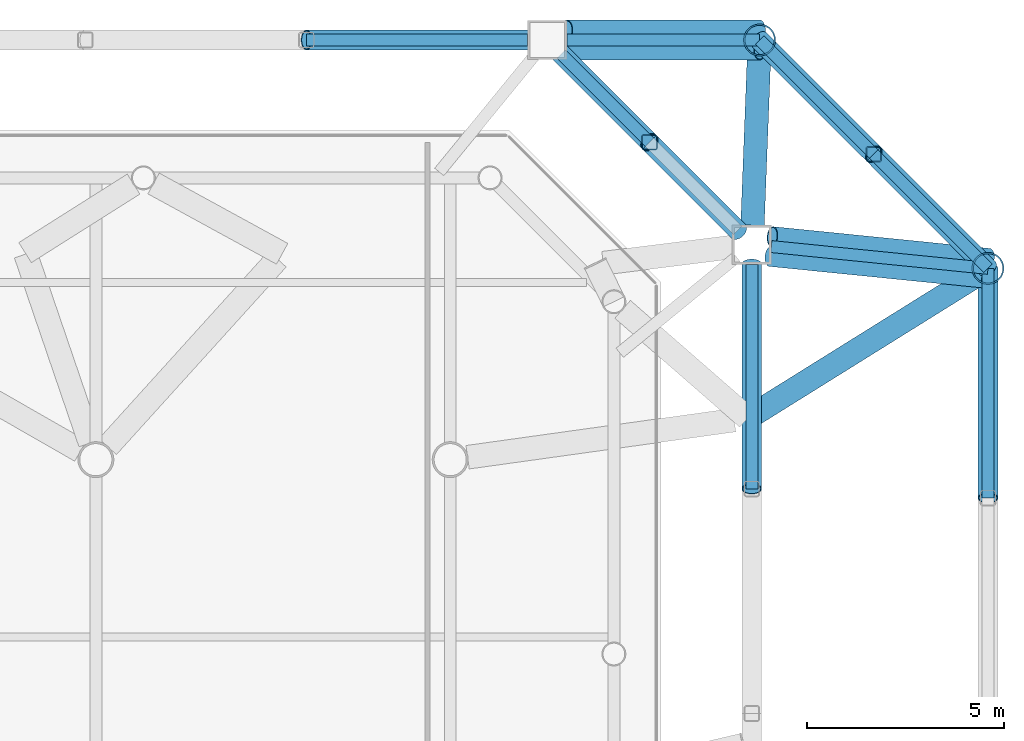
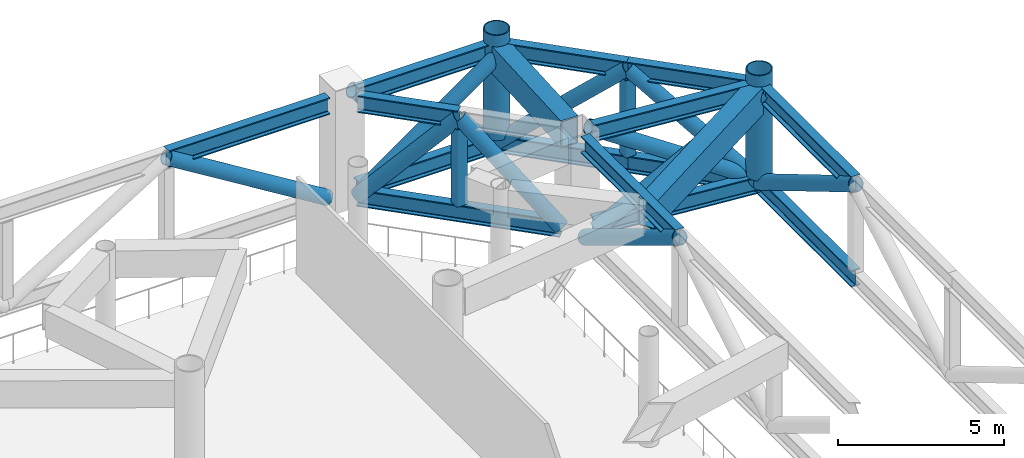
# One storey, part 8 of 22: 16 beams, 15 members.
"""IFC4 building model written with IfcOpenShell, lengths in metres."""

from ifc_helpers import new_model, si_unit, direction, frame, origin, origin_2d, place, context, subcontext, project, spatial, hollow_rectangle, hollow_circle, i_section, extrude, material, material_profile, profile_set, type_object, element, save


model = new_model("IFC4")

# Units and contexts
model_context = context("Model", 3, precision=1e-05, world=origin(), true_north=direction((0.0, 1.0)))
body_context = subcontext(model_context, "Body", "Model", "MODEL_VIEW")
ifc_project = project(units=[si_unit("LENGTHUNIT", "METRE"), si_unit("AREAUNIT", "SQUARE_METRE"), si_unit("VOLUMEUNIT", "CUBIC_METRE"), si_unit("PLANEANGLEUNIT", "RADIAN"), si_unit("MASSUNIT", "GRAM", prefix="KILO")], contexts=[model_context])

# Site, building, storey
site_placement = place(None, origin())
site = spatial("IfcSite", under=ifc_project, at=site_placement, CompositionType="ELEMENT")
building_placement = place(site_placement, origin())
building = spatial("IfcBuilding", under=site, at=building_placement, Name="Tskaro Facet Tower", CompositionType="ELEMENT")
storey_placement = place(building_placement, frame((0.0, 0.0, 57.60009765625)))
storey = spatial("IfcBuildingStorey", under=building, at=storey_placement, Name="L13", CompositionType="ELEMENT", Elevation=57.60009765625)

# Beams
ifc_material_1 = material(Name="Steel S355J2", Category="steel")
ifc_material_profile_1 = material_profile(ifc_material_1, hollow_rectangle(XDim=0.60009765625, YDim=1.0, WallThickness=0.0400390625, at=origin_2d()), Name="BOX 600x1000x40")
ifc_profile_set_1 = profile_set([ifc_material_profile_1], Name="Steel S355J2")
beam_type_1 = type_object("IfcBeamType", Name="BOX 600x1000x40 transfer girder", PredefinedType="BEAM", material=ifc_profile_set_1)
beam_1_placement = place(storey_placement, frame((25.85888671875, 28.658935546875, 3.579833984375), z_axis=(-0.038462983817, -0.999260025657, 0.0), x_axis=(0.999260025657, -0.038462983817, 0.0)))
element("IfcBeam", 1, at=beam_1_placement, inside=storey, type_object=beam_type_1, Name="BOX 600x1000x40 TG2-48", PredefinedType="BEAM", context=body_context, shape_type="SweptSolid", body=[
    extrude(hollow_rectangle(XDim=0.60009765625, YDim=1.0, WallThickness=0.0400390625, at=origin_2d()), origin(), (0.0, 0.0, 1.0), 4.709716796875),
])
beam_2_placement = place(storey_placement, frame((31.658935546875, 22.85888671875, 3.579833984375), z_axis=(-0.848645555449, -0.528961927947, 0.0), x_axis=(0.528961927947, -0.848645555449, 0.0)))
element("IfcBeam", 2, at=beam_2_placement, inside=storey, type_object=beam_type_1, Name="BOX 600x1000x40 TG2-51", PredefinedType="BEAM", context=body_context, shape_type="SweptSolid", body=[
    extrude(hollow_rectangle(XDim=0.60009765625, YDim=1.0, WallThickness=0.0400390625, at=origin_2d()), origin(), (0.0, 0.0, 1.0), 7.19775390625),
])

# Members
ifc_material_2 = material(Name="Steel S355J2H", Category="steel")
ifc_material_profile_2 = material_profile(ifc_material_2, hollow_circle(Radius=0.25390625, WallThickness=0.02490234375, at=origin_2d()), Name="CHS 508x25")
ifc_profile_set_2 = profile_set([ifc_material_profile_2], Name="Steel S355J2H")
member_type_1 = type_object("IfcMemberType", Name="CHS 508x25 belt diagonal", PredefinedType="BRACE", material=ifc_profile_set_2)
member_1_placement = place(storey_placement, frame((25.658935546875, 17.2578125, 3.77001953125), z_axis=(0.0, 0.855026263198, -0.518584698233), x_axis=(-1.0, 0.0, 0.0)))
element("IfcMember", 3, at=member_1_placement, inside=storey, type_object=member_type_1, Name="CHS 508x25 BD1-054", PredefinedType="BRACE", context=body_context, shape_type="SweptSolid", body=[
    extrude(hollow_circle(Radius=0.25390625, WallThickness=0.02490234375, at=origin_2d()), origin(), (0.0, 0.0, 1.0), 6.67236328125),
])
for number, where, z_axis, x_axis, name in (
    (4, (25.305419921875, 23.816650390625, 0.309814453125), (-0.477988218239, 0.477988218239, 0.736922334069), (-0.707106781187, -0.707106781187, 0.0), "CHS 508x25 BD1-061"),
    (5, (23.06103515625, 26.06103515625, 3.77001953125), (-0.477988218239, 0.477988218239, -0.736922334069), (-0.707106781187, -0.707106781187, 0.0), "CHS 508x25 BD1-062"),
):
    element("IfcMember", number, at=place(storey_placement, frame(where, z_axis=z_axis, x_axis=x_axis)), inside=storey, type_object=member_type_1, Name=name, PredefinedType="BRACE", context=body_context, shape_type="SweptSolid", body=[
        extrude(hollow_circle(Radius=0.25390625, WallThickness=0.02490234375, at=origin_2d()), origin(), (0.0, 0.0, 1.0), 4.695556640625),
    ])
member_2_placement = place(storey_placement, frame((19.962890625, 28.658935546875, 0.309814453125), z_axis=(-0.85136208059, 0.0, 0.524578504834), x_axis=(0.0, -1.0, 0.0)))
element("IfcMember", 6, at=member_2_placement, inside=storey, type_object=member_type_1, Name="CHS 508x25 BD1-071", PredefinedType="BRACE", context=body_context, shape_type="SweptSolid", body=[
    extrude(hollow_circle(Radius=0.25390625, WallThickness=0.02490234375, at=origin_2d()), origin(), (0.0, 0.0, 1.0), 6.59619140625),
])
member_3_placement = place(storey_placement, frame((31.658935546875, 17.024658203125, 3.77001953125), z_axis=(0.0, 0.860104974489, -0.510117077601), x_axis=(-1.0, 0.0, 0.0)))
element("IfcMember", 7, at=member_3_placement, inside=storey, type_object=member_type_1, Name="CHS 508x25 TB1-05-D4", PredefinedType="BRACE", context=body_context, shape_type="SweptSolid", body=[
    extrude(hollow_circle(Radius=0.25390625, WallThickness=0.02490234375, at=origin_2d()), origin(), (0.0, 0.0, 1.0), 6.783203125),
])
for number, where, z_axis, x_axis, name in (
    (8, (31.658935546875, 22.85888671875, 0.309814453125), (-0.540427740628, 0.540473238838, 0.644846133012), (-0.707136544705, -0.707077016416, 0.0), "CHS 508x25 TB1-06-D1"),
    (9, (28.759033203125, 25.759033203125, 3.77001953125), (-0.540473238838, 0.540427740628, -0.644846133012), (-0.707077016416, -0.707136544705, 0.0), "CHS 508x25 TB1-06-D2"),
):
    element("IfcMember", number, at=place(storey_placement, frame(where, z_axis=z_axis, x_axis=x_axis)), inside=storey, type_object=member_type_1, Name=name, PredefinedType="BRACE", context=body_context, shape_type="SweptSolid", body=[
        extrude(hollow_circle(Radius=0.25390625, WallThickness=0.02490234375, at=origin_2d()), origin(), (0.0, 0.0, 1.0), 5.365966796875),
    ])
for number, where, z_axis, x_axis, name in (
    (10, (26.131103515625, 23.16015625, 0.309814453125), (0.843473059245, -0.084916158107, 0.530417236165), (0.100168077616, 0.994970530331, 0.0), "CHS 508x25 TL1-06A-D1"),
    (11, (26.181884765625, 23.66552734375, 3.77001953125), (0.843475739177, -0.084879003303, -0.530418921437), (0.100124373921, 0.994974929205, 0.0), "CHS 508x25 TL1-06A-D2"),
):
    element("IfcMember", number, at=place(storey_placement, frame(where, z_axis=z_axis, x_axis=x_axis)), inside=storey, type_object=member_type_1, Name=name, PredefinedType="BRACE", context=body_context, shape_type="SweptSolid", body=[
        extrude(hollow_circle(Radius=0.25390625, WallThickness=0.02490234375, at=origin_2d()), origin(), (0.0, 0.0, 1.0), 6.5234375),
    ])
for number, where, z_axis, x_axis, name in (
    (12, (20.962890625, 28.405029296875, 0.309814453125), (0.816637063341, 0.0, 0.577151545763), (0.0, 1.0, 0.0), "CHS 508x25 TL1-07A-D1"),
    (13, (20.962890625, 28.9130859375, 3.77001953125), (0.816637063341, 0.0, -0.577151545763), (0.0, 1.0, 0.0), "CHS 508x25 TL1-07A-D2"),
):
    element("IfcMember", number, at=place(storey_placement, frame(where, z_axis=z_axis, x_axis=x_axis)), inside=storey, type_object=member_type_1, Name=name, PredefinedType="BRACE", context=body_context, shape_type="SweptSolid", body=[
        extrude(hollow_circle(Radius=0.25390625, WallThickness=0.02490234375, at=origin_2d()), origin(), (0.0, 0.0, 1.0), 5.995361328125),
    ])
ifc_material_profile_3 = material_profile(ifc_material_2, hollow_circle(Radius=0.406494140625, WallThickness=0.035888671875, at=origin_2d()), Name="CHS 812.8x36")
ifc_profile_set_3 = profile_set([ifc_material_profile_3], Name="Steel S355J2H")
member_type_2 = type_object("IfcMemberType", Name="CHS 812.8x36 transfer node post", PredefinedType="POST", material=ifc_profile_set_3)
for number, where, z_axis, x_axis, name in (
    (14, (31.658935546875, 22.85888671875, 0.619873046875), (0.0, 0.0, 1.0), (1.0, 0.0, 0.0), "CHS 812.8x36 TN1-06"),
    (15, (25.85888671875, 28.658935546875, 0.619873046875), (0.0, 0.0, 1.0), (1.0, 0.0, 0.0), "CHS 812.8x36 TN1-07"),
):
    element("IfcMember", number, at=place(storey_placement, frame(where, z_axis=z_axis, x_axis=x_axis)), inside=storey, type_object=member_type_2, Name=name, PredefinedType="POST", context=body_context, shape_type="SweptSolid", body=[
        extrude(hollow_circle(Radius=0.406494140625, WallThickness=0.035888671875, at=origin_2d()), origin(), (0.0, 0.0, 1.0), 3.880126953125),
    ])

# Beams
ifc_material_profile_4 = material_profile(ifc_material_1, i_section(OverallWidth=0.304931640625, OverallDepth=0.6201171875, WebThickness=0.02099609375, FlangeThickness=0.0400390625, FilletRadius=0.027099609375, at=origin_2d()), Name="HE 600 M")
ifc_profile_set_4 = profile_set([ifc_material_profile_4], Name="Steel S355J2")
beam_type_2 = type_object("IfcBeamType", Name="HE 600 M belt chord", PredefinedType="BEAM", material=ifc_profile_set_4)
beam_3_placement = place(storey_placement, frame((25.658935546875, 17.2578125, 3.77001953125), z_axis=(0.0, 1.0, 0.0), x_axis=(-1.0, 0.0, 0.0)))
element("IfcBeam", 16, at=beam_3_placement, inside=storey, type_object=beam_type_2, Name="HE 600 M BT1-05T3", PredefinedType="BEAM", context=body_context, shape_type="SweptSolid", body=[
    extrude(i_section(OverallWidth=0.304931640625, OverallDepth=0.6201171875, WebThickness=0.02099609375, FlangeThickness=0.0400390625, FilletRadius=0.027099609375, at=origin_2d()), origin(), (0.0, 0.0, 1.0), 5.705078125),
])
beam_4_placement = place(storey_placement, frame((23.06103515625, 26.06103515625, 3.77001953125), z_axis=(-0.707106781187, 0.707106781187, 0.0), x_axis=(-0.707106781187, -0.707106781187, 0.0)))
element("IfcBeam", 17, at=beam_4_placement, inside=storey, type_object=beam_type_2, Name="HE 600 M BT1-06T2", PredefinedType="BEAM", context=body_context, shape_type="SweptSolid", body=[
    extrude(i_section(OverallWidth=0.304931640625, OverallDepth=0.6201171875, WebThickness=0.02099609375, FlangeThickness=0.0400390625, FilletRadius=0.027099609375, at=origin_2d()), origin(), (0.0, 0.0, 1.0), 3.174072265625),
])
beam_5_placement = place(storey_placement, frame((25.305419921875, 23.816650390625, 0.309814453125), z_axis=(-0.707106781187, 0.707106781187, 0.0), x_axis=(-0.707106781187, -0.707106781187, 0.0)))
element("IfcBeam", 18, at=beam_5_placement, inside=storey, type_object=beam_type_2, Name="HE 600 M BT1-06B1", PredefinedType="BEAM", context=body_context, shape_type="SweptSolid", body=[
    extrude(i_section(OverallWidth=0.304931640625, OverallDepth=0.6201171875, WebThickness=0.02099609375, FlangeThickness=0.0400390625, FilletRadius=0.027099609375, at=origin_2d()), origin(), (0.0, 0.0, 1.0), 6.34814453125),
])
beam_6_placement = place(storey_placement, frame((19.962890625, 28.658935546875, 3.77001953125), z_axis=(-1.0, 0.0, 0.0), x_axis=(0.0, -1.0, 0.0)))
element("IfcBeam", 19, at=beam_6_placement, inside=storey, type_object=beam_type_2, Name="HE 600 M BT1-07T1", PredefinedType="BEAM", context=body_context, shape_type="SweptSolid", body=[
    extrude(i_section(OverallWidth=0.304931640625, OverallDepth=0.6201171875, WebThickness=0.02099609375, FlangeThickness=0.0400390625, FilletRadius=0.027099609375, at=origin_2d()), origin(), (0.0, 0.0, 1.0), 5.61572265625),
])
for number, where, z_axis, x_axis, name in (
    (20, (31.658935546875, 17.024658203125, 3.77001953125), (0.0, 1.0, 0.0), (-1.0, 0.0, 0.0), "HE 600 M TB1-05-T4"),
    (21, (31.658935546875, 17.024658203125, 0.309814453125), (0.0, 1.0, 0.0), (-1.0, 0.0, 0.0), "HE 600 M TB1-05-B4"),
):
    element("IfcBeam", number, at=place(storey_placement, frame(where, z_axis=z_axis, x_axis=x_axis)), inside=storey, type_object=beam_type_2, Name=name, PredefinedType="BEAM", context=body_context, shape_type="SweptSolid", body=[
        extrude(i_section(OverallWidth=0.304931640625, OverallDepth=0.6201171875, WebThickness=0.02099609375, FlangeThickness=0.0400390625, FilletRadius=0.027099609375, at=origin_2d()), origin(), (0.0, 0.0, 1.0), 5.834228515625),
    ])
for number, where, z_axis, x_axis, name in (
    (22, (31.658935546875, 22.85888671875, 3.77001953125), (-0.707077016416, 0.707136544705, 0.0), (-0.707136544705, -0.707077016416, 0.0), "HE 600 M TB1-06-T1"),
    (23, (31.658935546875, 22.85888671875, 0.309814453125), (-0.707077016416, 0.707136544705, 0.0), (-0.707136544705, -0.707077016416, 0.0), "HE 600 M TB1-06-B1"),
    (24, (28.759033203125, 25.759033203125, 3.77001953125), (-0.707136544705, 0.707077016416, 0.0), (-0.707077016416, -0.707136544705, 0.0), "HE 600 M TB1-06-T2"),
    (25, (28.759033203125, 25.759033203125, 0.309814453125), (-0.707136544705, 0.707077016416, 0.0), (-0.707077016416, -0.707136544705, 0.0), "HE 600 M TB1-06-B2"),
):
    element("IfcBeam", number, at=place(storey_placement, frame(where, z_axis=z_axis, x_axis=x_axis)), inside=storey, type_object=beam_type_2, Name=name, PredefinedType="BEAM", context=body_context, shape_type="SweptSolid", body=[
        extrude(i_section(OverallWidth=0.304931640625, OverallDepth=0.6201171875, WebThickness=0.02099609375, FlangeThickness=0.0400390625, FilletRadius=0.027099609375, at=origin_2d()), origin(), (0.0, 0.0, 1.0), 4.101318359375),
    ])
for number, where, z_axis, x_axis, name in (
    (26, (26.156494140625, 23.412841796875, 3.77001953125), (0.994970530331, -0.100168077616, 0.0), (0.100168077616, 0.994970530331, 0.0), "HE 600 M TL1-06A-T1"),
    (27, (26.156494140625, 23.412841796875, 0.309814453125), (0.994970530331, -0.100168077616, 0.0), (0.100168077616, 0.994970530331, 0.0), "HE 600 M TL1-06A-B1"),
):
    element("IfcBeam", number, at=place(storey_placement, frame(where, z_axis=z_axis, x_axis=x_axis)), inside=storey, type_object=beam_type_2, Name=name, PredefinedType="BEAM", context=body_context, shape_type="SweptSolid", body=[
        extrude(i_section(OverallWidth=0.304931640625, OverallDepth=0.6201171875, WebThickness=0.02099609375, FlangeThickness=0.0400390625, FilletRadius=0.027099609375, at=origin_2d()), origin(), (0.0, 0.0, 1.0), 5.5302734375),
    ])
for number, where, z_axis, x_axis, name in (
    (28, (20.962890625, 28.658935546875, 3.77001953125), (1.0, 0.0, 0.0), (0.0, 1.0, 0.0), "HE 600 M TL1-07A-T1"),
    (29, (20.962890625, 28.658935546875, 0.309814453125), (1.0, 0.0, 0.0), (0.0, 1.0, 0.0), "HE 600 M TL1-07A-B1"),
):
    element("IfcBeam", number, at=place(storey_placement, frame(where, z_axis=z_axis, x_axis=x_axis)), inside=storey, type_object=beam_type_2, Name=name, PredefinedType="BEAM", context=body_context, shape_type="SweptSolid", body=[
        extrude(i_section(OverallWidth=0.304931640625, OverallDepth=0.6201171875, WebThickness=0.02099609375, FlangeThickness=0.0400390625, FilletRadius=0.027099609375, at=origin_2d()), origin(), (0.0, 0.0, 1.0), 4.89599609375),
    ])

# Members
ifc_material_profile_5 = material_profile(ifc_material_2, hollow_rectangle(XDim=0.39990234375, YDim=0.39990234375, WallThickness=0.02490234375, InnerFilletRadius=0.03759765625, OuterFilletRadius=0.0625, at=origin_2d()), Name="SHS 400x400x25")
ifc_profile_set_5 = profile_set([ifc_material_profile_5], Name="Steel S355J2H")
member_type_3 = type_object("IfcMemberType", Name="SHS 400x400x25 belt post", PredefinedType="POST", material=ifc_profile_set_5)
for number, where, z_axis, x_axis, name in (
    (30, (23.06103515625, 26.06103515625, 0.619873046875), (0.0, 0.0, 1.0), (1.0, 0.0, 0.0), "SHS 400x400x25 BP1-061"),
    (31, (28.759033203125, 25.759033203125, 0.619873046875), (0.0, 0.0, 1.0), (1.0, 0.0, 0.0), "SHS 400x400x25 TB1-06-P1"),
):
    element("IfcMember", number, at=place(storey_placement, frame(where, z_axis=z_axis, x_axis=x_axis)), inside=storey, type_object=member_type_3, Name=name, PredefinedType="POST", context=body_context, shape_type="SweptSolid", body=[
        extrude(hollow_rectangle(XDim=0.39990234375, YDim=0.39990234375, WallThickness=0.02490234375, InnerFilletRadius=0.03759765625, OuterFilletRadius=0.0625, at=origin_2d()), origin(), (0.0, 0.0, 1.0), 2.840087890625),
    ])

save(model, "model.ifc")
